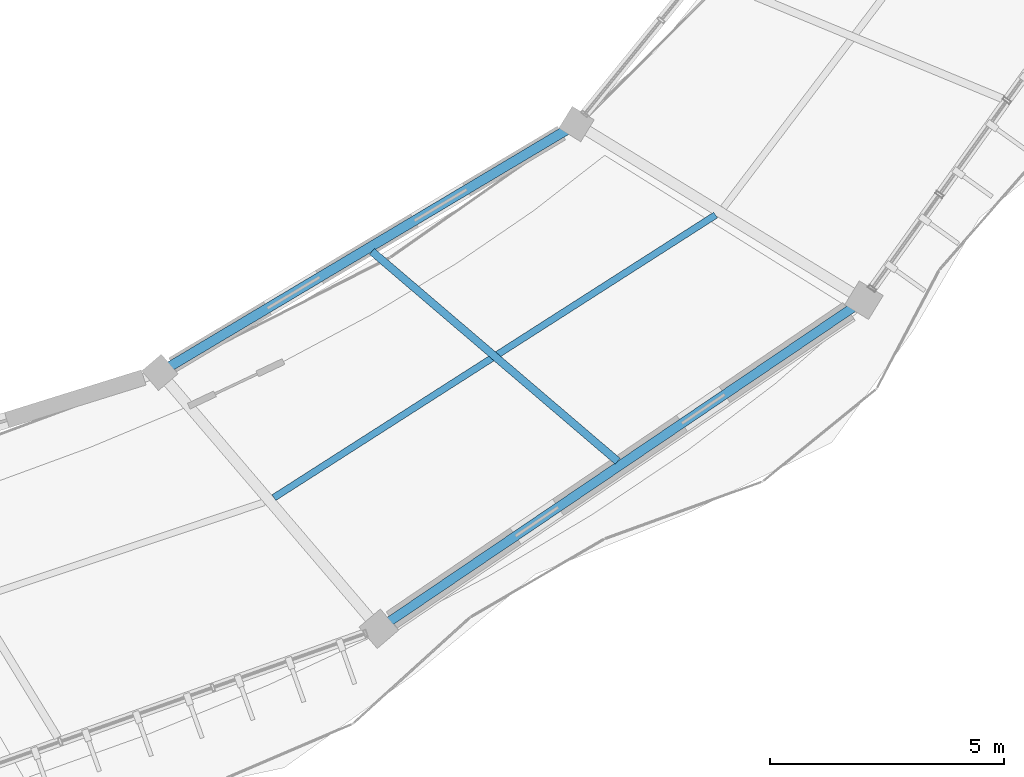
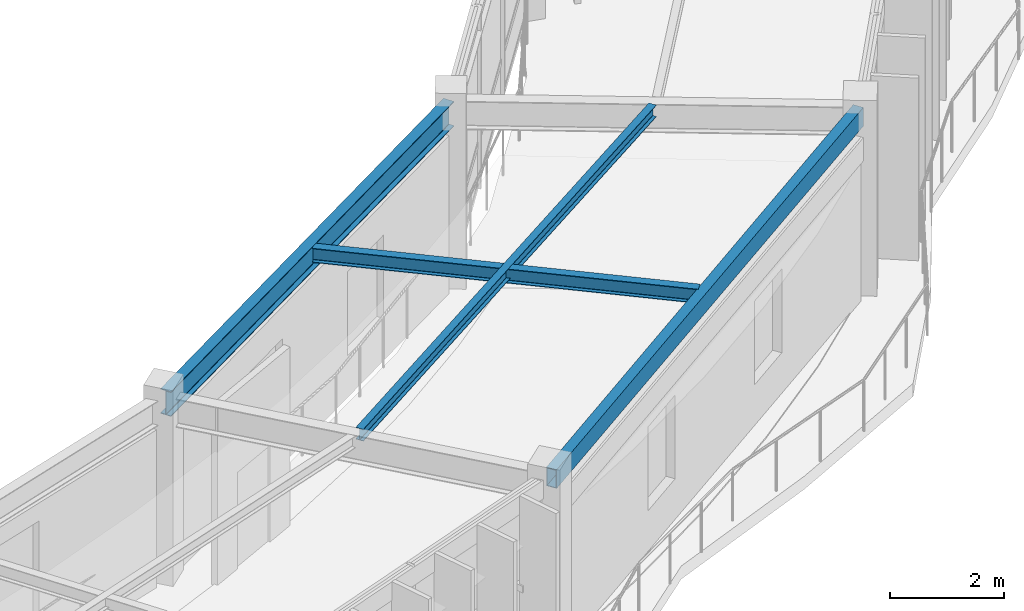
# One storey, part 36 of 83: 4 beams.
"""IFC4 building model written with IfcOpenShell, lengths in metres."""

from ifc_helpers import new_model, si_unit, direction, frame, origin, origin_2d, place, context, subcontext, project, spatial, hollow_rectangle, i_section, extrude, material, material_profile, profile_set, type_object, element, save


model = new_model("IFC4")

# Units and contexts
model_context = context("Model", 3, precision=1e-05, world=origin(), true_north=direction((0.0, 1.0)))
body_context = subcontext(model_context, "Body", "Model", "MODEL_VIEW")
ifc_project = project(units=[si_unit("LENGTHUNIT", "METRE"), si_unit("AREAUNIT", "SQUARE_METRE"), si_unit("VOLUMEUNIT", "CUBIC_METRE"), si_unit("PLANEANGLEUNIT", "RADIAN"), si_unit("MASSUNIT", "GRAM", prefix="KILO"), si_unit("THERMODYNAMICTEMPERATUREUNIT", "KELVIN"), si_unit("POWERUNIT", "WATT")], contexts=[model_context])

# Site, building, storey
site_placement = place(None, origin())
site = spatial("IfcSite", under=ifc_project, at=site_placement, CompositionType="ELEMENT")
building_placement = place(site_placement, origin())
building = spatial("IfcBuilding", under=site, at=building_placement, Name="Darbajah Civic Hall", CompositionType="ELEMENT")
storey_placement = place(building_placement, frame((0.0, 0.0, 18.0)))
storey = spatial("IfcBuildingStorey", under=building, at=storey_placement, Name="L04", CompositionType="ELEMENT", Elevation=18.0)

# Beams
ifc_material = material(Name="Steel S355JR", Category="steel")
ifc_material_profile_1 = material_profile(ifc_material, hollow_rectangle(XDim=0.199951171875, YDim=0.39990234375, WallThickness=0.013916015625, at=origin_2d()), Name="RHS 400x200x14")
ifc_profile_set_1 = profile_set([ifc_material_profile_1], Name="Steel S355JR")
beam_type_1 = type_object("IfcBeamType", Name="RHS 400x200x14", PredefinedType="SPANDREL", material=ifc_profile_set_1)
beam_1_placement = place(storey_placement, frame((122.2880859375, 67.412841796875, 3.719970703125), z_axis=(0.827982022698, 0.560754643394, 0.0), x_axis=(-0.560754643394, 0.827982022698, 0.0)))
element("IfcBeam", 1, at=beam_1_placement, inside=storey, type_object=beam_type_1, Name="L04 beam SP-RHS400", PredefinedType="SPANDREL", context=body_context, shape_type="SweptSolid", body=[
    extrude(hollow_rectangle(XDim=0.199951171875, YDim=0.39990234375, WallThickness=0.013916015625, at=origin_2d()), origin(), (0.0, 0.0, 1.0), 12.355712890625),
])
ifc_material_profile_2 = material_profile(ifc_material, i_section(OverallWidth=0.146484375, OverallDepth=0.256103515625, WebThickness=0.00634765625, FlangeThickness=0.010986328125, FilletRadius=0.007568359375, at=origin_2d()), Name="UB 254x146x37")
ifc_profile_set_2 = profile_set([ifc_material_profile_2], Name="Steel S355JR")
beam_type_2 = type_object("IfcBeamType", Name="UB 254x146x37", PredefinedType="JOIST", material=ifc_profile_set_2)
beam_2_placement = place(storey_placement, frame((119.981689453125, 70.16796875, 3.7919921875), z_axis=(0.842354117653, 0.538924429279, 0.0), x_axis=(-0.538924429279, 0.842354117653, 0.0)))
element("IfcBeam", 2, at=beam_2_placement, inside=storey, type_object=beam_type_2, Name="L04 beam SJ-254", PredefinedType="JOIST", context=body_context, shape_type="SweptSolid", body=[
    extrude(i_section(OverallWidth=0.146484375, OverallDepth=0.256103515625, WebThickness=0.00634765625, FlangeThickness=0.010986328125, FilletRadius=0.007568359375, at=origin_2d()), origin(), (0.0, 0.0, 1.0), 11.20166015625),
])
ifc_material_profile_3 = material_profile(ifc_material, i_section(OverallWidth=0.165771484375, OverallDepth=0.306640625, WebThickness=0.006591796875, FlangeThickness=0.01171875, FilletRadius=0.0087890625, at=origin_2d()), Name="UB 305x165x46")
ifc_profile_set_3 = profile_set([ifc_material_profile_3], Name="Steel S355JR")
beam_type_3 = type_object("IfcBeamType", Name="UB 305x165x46", PredefinedType="JOIST", material=ifc_profile_set_3)
beam_3_placement = place(storey_placement, frame((122.076416015625, 75.4267578125, 3.7666015625), z_axis=(0.760398784195, -0.649456456581, 0.0), x_axis=(0.649456456581, 0.760398784195, 0.0)))
element("IfcBeam", 3, at=beam_3_placement, inside=storey, type_object=beam_type_3, Name="L04 beam SJ-305", PredefinedType="JOIST", context=body_context, shape_type="SweptSolid", body=[
    extrude(i_section(OverallWidth=0.165771484375, OverallDepth=0.306640625, WebThickness=0.006591796875, FlangeThickness=0.01171875, FilletRadius=0.0087890625, at=origin_2d()), origin(), (0.0, 0.0, 1.0), 6.9033203125),
])
ifc_material_profile_4 = material_profile(ifc_material, i_section(OverallWidth=0.209228515625, OverallDepth=0.533203125, WebThickness=0.010009765625, FlangeThickness=0.015625, FilletRadius=0.0126953125, at=origin_2d()), Name="UB 533x210x92")
ifc_profile_set_4 = profile_set([ifc_material_profile_4], Name="Steel S355JR")
beam_type_4 = type_object("IfcBeamType", Name="UB 533x210x92", PredefinedType="BEAM", material=ifc_profile_set_4)
beam_4_placement = place(storey_placement, frame((117.614501953125, 72.8837890625, 3.653564453125), z_axis=(0.858952844576, 0.51205469512, 0.0), x_axis=(-0.51205469512, 0.858952844576, 0.0)))
element("IfcBeam", 4, at=beam_4_placement, inside=storey, type_object=beam_type_4, Name="L04 beam SB-533", PredefinedType="BEAM", context=body_context, shape_type="SweptSolid", body=[
    extrude(i_section(OverallWidth=0.209228515625, OverallDepth=0.533203125, WebThickness=0.010009765625, FlangeThickness=0.015625, FilletRadius=0.0126953125, at=origin_2d()), origin(), (0.0, 0.0, 1.0), 10.201416015625),
])

save(model, "model.ifc")
